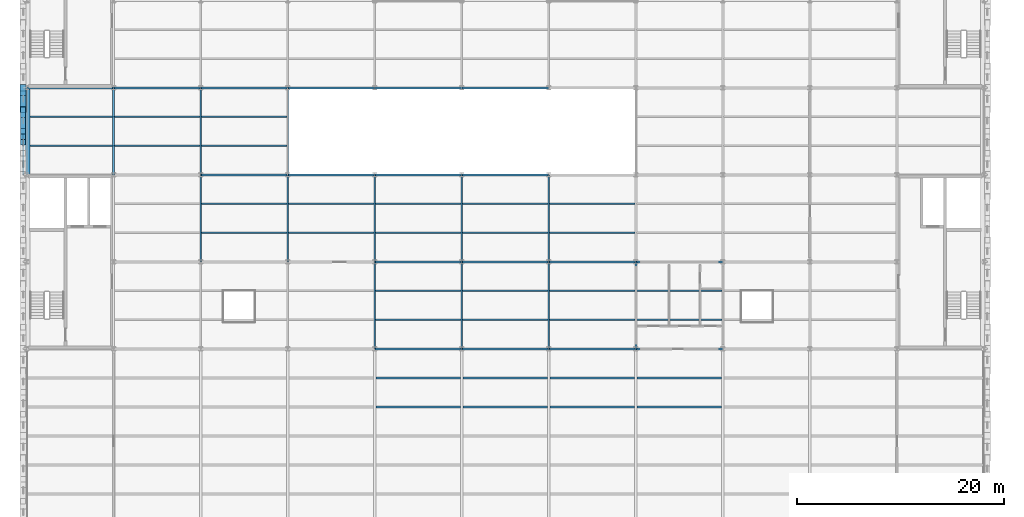
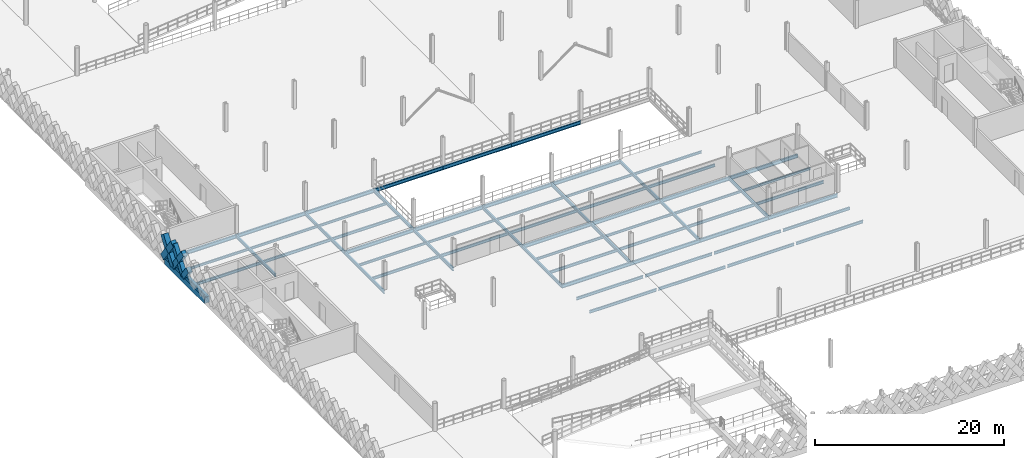
# One storey, part 21 of 74: 63 beams, 8 members.
"""IFC4 building model written with IfcOpenShell, lengths in metres."""

from ifc_helpers import new_model, si_unit, direction, frame, origin, origin_2d, place, context, subcontext, project, spatial, rectangle, hollow_rectangle, i_section, extrude, material, material_profile, profile_set, type_object, element, save


model = new_model("IFC4")

# Units and contexts
model_context = context("Model", 3, precision=1e-05, world=origin(), true_north=direction((0.0, 1.0)))
body_context = subcontext(model_context, "Body", "Model", "MODEL_VIEW")
ifc_project = project(units=[si_unit("LENGTHUNIT", "METRE"), si_unit("AREAUNIT", "SQUARE_METRE"), si_unit("VOLUMEUNIT", "CUBIC_METRE"), si_unit("PLANEANGLEUNIT", "RADIAN"), si_unit("MASSUNIT", "GRAM", prefix="KILO"), si_unit("THERMODYNAMICTEMPERATUREUNIT", "KELVIN"), si_unit("POWERUNIT", "WATT")], contexts=[model_context])

# Site, building, storey
site_placement = place(None, origin())
site = spatial("IfcSite", under=ifc_project, at=site_placement, CompositionType="ELEMENT")
building_placement = place(site_placement, origin())
building = spatial("IfcBuilding", under=site, at=building_placement, Name="Tembeka Court Mobility Hub", CompositionType="ELEMENT")
storey_placement = place(building_placement, frame((0.0, 0.0, 12.60009765625)))
storey = spatial("IfcBuildingStorey", under=building, at=storey_placement, Name="L03", CompositionType="ELEMENT", Elevation=12.60009765625)

# Beams
ifc_material_1 = material(Name="Steel S355", Category="steel")
ifc_material_profile_1 = material_profile(ifc_material_1, i_section(OverallWidth=0.18994140625, OverallDepth=0.45703125, WebThickness=0.009033203125, FlangeThickness=0.014404296875, FilletRadius=0.01025390625, at=origin_2d()), Name="UKB 457x191x74")
ifc_profile_set_1 = profile_set([ifc_material_profile_1], Name="Steel S355")
beam_type_1 = type_object("IfcBeamType", Name="BM-B01", PredefinedType="BEAM", material=ifc_profile_set_1)
for number, where, z_axis, x_axis, name in (
    (1, (33.60009765625, 38.39990234375, -0.448486328125), (1.0, 0.0, 0.0), (0.0, 1.0, 0.0), "Beam B01 (BM-L03-X1722)"),
    (2, (42.0, 38.39990234375, -0.448486328125), (1.0, 0.0, 0.0), (0.0, 1.0, 0.0), "Beam B01 (BM-L03-X1723)"),
):
    element("IfcBeam", number, at=place(storey_placement, frame(where, z_axis=z_axis, x_axis=x_axis)), inside=storey, type_object=beam_type_1, Name=name, PredefinedType="BEAM", context=body_context, shape_type="SweptSolid", body=[
        extrude(i_section(OverallWidth=0.18994140625, OverallDepth=0.45703125, WebThickness=0.009033203125, FlangeThickness=0.014404296875, FilletRadius=0.01025390625, at=origin_2d()), origin(), (0.0, 0.0, 1.0), 8.39990234375),
    ])
beam_1_placement = place(storey_placement, frame((50.39990234375, 38.39990234375, -0.448486328125), z_axis=(1.0, 0.0, 0.0), x_axis=(0.0, 1.0, 0.0)))
element("IfcBeam", 3, at=beam_1_placement, inside=storey, type_object=beam_type_1, Name="Beam B01 (BM-L03-X1724)", PredefinedType="BEAM", context=body_context, shape_type="SweptSolid", body=[
    extrude(i_section(OverallWidth=0.18994140625, OverallDepth=0.45703125, WebThickness=0.009033203125, FlangeThickness=0.014404296875, FilletRadius=0.01025390625, at=origin_2d()), origin(), (0.0, 0.0, 1.0), 8.400146484375),
])
for number, where, z_axis, x_axis, name in (
    (4, (58.800048828125, 38.39990234375, -0.448486328125), (1.0, 0.0, 0.0), (0.0, 1.0, 0.0), "Beam B01 (BM-L03-X1725)"),
    (5, (33.60009765625, 46.800048828125, -0.448486328125), (1.0, 0.0, 0.0), (0.0, 1.0, 0.0), "Beam B01 (BM-L03-X1737)"),
    (6, (42.0, 46.800048828125, -0.448486328125), (1.0, 0.0, 0.0), (0.0, 1.0, 0.0), "Beam B01 (BM-L03-X1738)"),
):
    element("IfcBeam", number, at=place(storey_placement, frame(where, z_axis=z_axis, x_axis=x_axis)), inside=storey, type_object=beam_type_1, Name=name, PredefinedType="BEAM", context=body_context, shape_type="SweptSolid", body=[
        extrude(i_section(OverallWidth=0.18994140625, OverallDepth=0.45703125, WebThickness=0.009033203125, FlangeThickness=0.014404296875, FilletRadius=0.01025390625, at=origin_2d()), origin(), (0.0, 0.0, 1.0), 8.39990234375),
    ])
beam_2_placement = place(storey_placement, frame((50.39990234375, 46.800048828125, -0.448486328125), z_axis=(1.0, 0.0, 0.0), x_axis=(0.0, 1.0, 0.0)))
element("IfcBeam", 7, at=beam_2_placement, inside=storey, type_object=beam_type_1, Name="Beam B01 (BM-L03-X1739)", PredefinedType="BEAM", context=body_context, shape_type="SweptSolid", body=[
    extrude(i_section(OverallWidth=0.18994140625, OverallDepth=0.45703125, WebThickness=0.009033203125, FlangeThickness=0.014404296875, FilletRadius=0.01025390625, at=origin_2d()), origin(), (0.0, 0.0, 1.0), 8.400146484375),
])
for number, where, z_axis, x_axis, name in (
    (8, (58.800048828125, 46.800048828125, -0.448486328125), (1.0, 0.0, 0.0), (0.0, 1.0, 0.0), "Beam B01 (BM-L03-X1740)"),
    (9, (16.800048828125, 55.199951171875, -0.448486328125), (1.0, 0.0, 0.0), (0.0, 1.0, 0.0), "Beam B01 (BM-L03-X1750)"),
):
    element("IfcBeam", number, at=place(storey_placement, frame(where, z_axis=z_axis, x_axis=x_axis)), inside=storey, type_object=beam_type_1, Name=name, PredefinedType="BEAM", context=body_context, shape_type="SweptSolid", body=[
        extrude(i_section(OverallWidth=0.18994140625, OverallDepth=0.45703125, WebThickness=0.009033203125, FlangeThickness=0.014404296875, FilletRadius=0.01025390625, at=origin_2d()), origin(), (0.0, 0.0, 1.0), 8.39990234375),
    ])
beam_3_placement = place(storey_placement, frame((25.199951171875, 55.199951171875, -0.448486328125), z_axis=(1.0, 0.0, 0.0), x_axis=(0.0, 1.0, 0.0)))
element("IfcBeam", 10, at=beam_3_placement, inside=storey, type_object=beam_type_1, Name="Beam B01 (BM-L03-X1751)", PredefinedType="BEAM", context=body_context, shape_type="SweptSolid", body=[
    extrude(i_section(OverallWidth=0.18994140625, OverallDepth=0.45703125, WebThickness=0.009033203125, FlangeThickness=0.014404296875, FilletRadius=0.01025390625, at=origin_2d()), origin(), (0.0, 0.0, 1.0), 8.400146484375),
])
for number, where, z_axis, x_axis, name in (
    (11, (33.60009765625, 55.199951171875, -0.448486328125), (1.0, 0.0, 0.0), (0.0, 1.0, 0.0), "Beam B01 (BM-L03-X1752)"),
    (12, (42.0, 55.199951171875, -0.448486328125), (1.0, 0.0, 0.0), (0.0, 1.0, 0.0), "Beam B01 (BM-L03-X1753)"),
    (13, (0.0, 63.60009765625, -0.448486328125), (1.0, 0.0, 0.0), (0.0, 1.0, 0.0), "Beam B01 (BM-L03-X1760)"),
):
    element("IfcBeam", number, at=place(storey_placement, frame(where, z_axis=z_axis, x_axis=x_axis)), inside=storey, type_object=beam_type_1, Name=name, PredefinedType="BEAM", context=body_context, shape_type="SweptSolid", body=[
        extrude(i_section(OverallWidth=0.18994140625, OverallDepth=0.45703125, WebThickness=0.009033203125, FlangeThickness=0.014404296875, FilletRadius=0.01025390625, at=origin_2d()), origin(), (0.0, 0.0, 1.0), 8.39990234375),
    ])
beam_4_placement = place(storey_placement, frame((8.39990234375, 63.60009765625, -0.448486328125), z_axis=(1.0, 0.0, 0.0), x_axis=(0.0, 1.0, 0.0)))
element("IfcBeam", 14, at=beam_4_placement, inside=storey, type_object=beam_type_1, Name="Beam B01 (BM-L03-X1761)", PredefinedType="BEAM", context=body_context, shape_type="SweptSolid", body=[
    extrude(i_section(OverallWidth=0.18994140625, OverallDepth=0.45703125, WebThickness=0.009033203125, FlangeThickness=0.014404296875, FilletRadius=0.01025390625, at=origin_2d()), origin(), (0.0, 0.0, 1.0), 8.400146484375),
])
beam_5_placement = place(storey_placement, frame((16.800048828125, 63.60009765625, -0.448486328125), z_axis=(1.0, 0.0, 0.0), x_axis=(0.0, 1.0, 0.0)))
element("IfcBeam", 15, at=beam_5_placement, inside=storey, type_object=beam_type_1, Name="Beam B01 (BM-L03-X1762)", PredefinedType="BEAM", context=body_context, shape_type="SweptSolid", body=[
    extrude(i_section(OverallWidth=0.18994140625, OverallDepth=0.45703125, WebThickness=0.009033203125, FlangeThickness=0.014404296875, FilletRadius=0.01025390625, at=origin_2d()), origin(), (0.0, 0.0, 1.0), 8.39990234375),
])
beam_6_placement = place(storey_placement, frame((25.199951171875, 63.60009765625, -0.448486328125), z_axis=(1.0, 0.0, 0.0), x_axis=(0.0, 1.0, 0.0)))
element("IfcBeam", 16, at=beam_6_placement, inside=storey, type_object=beam_type_1, Name="Beam B01 (BM-L03-X1763)", PredefinedType="BEAM", context=body_context, shape_type="SweptSolid", body=[
    extrude(i_section(OverallWidth=0.18994140625, OverallDepth=0.45703125, WebThickness=0.009033203125, FlangeThickness=0.014404296875, FilletRadius=0.01025390625, at=origin_2d()), origin(), (0.0, 0.0, 1.0), 8.400146484375),
])
for number, where, z_axis, x_axis, name in (
    (17, (33.60009765625, 63.60009765625, -0.448486328125), (1.0, 0.0, 0.0), (0.0, 1.0, 0.0), "Beam B01 (BM-L03-X1764)"),
    (18, (42.0, 63.60009765625, -0.448486328125), (1.0, 0.0, 0.0), (0.0, 1.0, 0.0), "Beam B01 (BM-L03-X1765)"),
):
    element("IfcBeam", number, at=place(storey_placement, frame(where, z_axis=z_axis, x_axis=x_axis)), inside=storey, type_object=beam_type_1, Name=name, PredefinedType="BEAM", context=body_context, shape_type="SweptSolid", body=[
        extrude(i_section(OverallWidth=0.18994140625, OverallDepth=0.45703125, WebThickness=0.009033203125, FlangeThickness=0.014404296875, FilletRadius=0.01025390625, at=origin_2d()), origin(), (0.0, 0.0, 1.0), 8.39990234375),
    ])
ifc_material_profile_2 = material_profile(ifc_material_1, i_section(OverallWidth=0.177978515625, OverallDepth=0.406005859375, WebThickness=0.0078125, FlangeThickness=0.0126953125, FilletRadius=0.01025390625, at=origin_2d()), Name="UKB 406x178x60")
ifc_profile_set_2 = profile_set([ifc_material_profile_2], Name="Steel S355")
beam_type_2 = type_object("IfcBeamType", Name="BM-B02", PredefinedType="BEAM", material=ifc_profile_set_2)
beam_7_placement = place(storey_placement, frame((8.39990234375, 55.199951171875, -0.423095703125), z_axis=(0.0, 1.0, 0.0), x_axis=(-1.0, 0.0, 0.0)))
element("IfcBeam", 19, at=beam_7_placement, inside=storey, type_object=beam_type_2, Name="Beam B02 (BM-L03-Y1832)", PredefinedType="BEAM", context=body_context, shape_type="SweptSolid", body=[
    extrude(i_section(OverallWidth=0.177978515625, OverallDepth=0.406005859375, WebThickness=0.0078125, FlangeThickness=0.0126953125, FilletRadius=0.01025390625, at=origin_2d()), origin(), (0.0, 0.0, 1.0), 8.400146484375),
])
beam_8_placement = place(storey_placement, frame((16.800048828125, 46.800048828125, -0.423095703125), z_axis=(0.0, 1.0, 0.0), x_axis=(-1.0, 0.0, 0.0)))
element("IfcBeam", 20, at=beam_8_placement, inside=storey, type_object=beam_type_2, Name="Beam B02 (BM-L03-Y1842)", PredefinedType="BEAM", context=body_context, shape_type="SweptSolid", body=[
    extrude(i_section(OverallWidth=0.177978515625, OverallDepth=0.406005859375, WebThickness=0.0078125, FlangeThickness=0.0126953125, FilletRadius=0.01025390625, at=origin_2d()), origin(), (0.0, 0.0, 1.0), 8.39990234375),
])
beam_9_placement = place(storey_placement, frame((16.800048828125, 55.199951171875, -0.423095703125), z_axis=(0.0, 1.0, 0.0), x_axis=(-1.0, 0.0, 0.0)))
element("IfcBeam", 21, at=beam_9_placement, inside=storey, type_object=beam_type_2, Name="Beam B02 (BM-L03-Y1843)", PredefinedType="BEAM", context=body_context, shape_type="SweptSolid", body=[
    extrude(i_section(OverallWidth=0.177978515625, OverallDepth=0.406005859375, WebThickness=0.0078125, FlangeThickness=0.0126953125, FilletRadius=0.01025390625, at=origin_2d()), origin(), (0.0, 0.0, 1.0), 8.400146484375),
])
beam_10_placement = place(storey_placement, frame((25.199951171875, 46.800048828125, -0.423095703125), z_axis=(0.0, 1.0, 0.0), x_axis=(-1.0, 0.0, 0.0)))
element("IfcBeam", 22, at=beam_10_placement, inside=storey, type_object=beam_type_2, Name="Beam B02 (BM-L03-Y1851)", PredefinedType="BEAM", context=body_context, shape_type="SweptSolid", body=[
    extrude(i_section(OverallWidth=0.177978515625, OverallDepth=0.406005859375, WebThickness=0.0078125, FlangeThickness=0.0126953125, FilletRadius=0.01025390625, at=origin_2d()), origin(), (0.0, 0.0, 1.0), 8.39990234375),
])
for number, where, z_axis, x_axis, name in (
    (23, (25.199951171875, 55.199951171875, -0.423095703125), (0.0, 1.0, 0.0), (-1.0, 0.0, 0.0), "Beam B02 (BM-L03-Y1852)"),
    (24, (33.60009765625, 38.39990234375, -0.423095703125), (0.0, 1.0, 0.0), (-1.0, 0.0, 0.0), "Beam B02 (BM-L03-Y1857)"),
):
    element("IfcBeam", number, at=place(storey_placement, frame(where, z_axis=z_axis, x_axis=x_axis)), inside=storey, type_object=beam_type_2, Name=name, PredefinedType="BEAM", context=body_context, shape_type="SweptSolid", body=[
        extrude(i_section(OverallWidth=0.177978515625, OverallDepth=0.406005859375, WebThickness=0.0078125, FlangeThickness=0.0126953125, FilletRadius=0.01025390625, at=origin_2d()), origin(), (0.0, 0.0, 1.0), 8.400146484375),
    ])
beam_11_placement = place(storey_placement, frame((33.60009765625, 46.800048828125, -0.423095703125), z_axis=(0.0, 1.0, 0.0), x_axis=(-1.0, 0.0, 0.0)))
element("IfcBeam", 25, at=beam_11_placement, inside=storey, type_object=beam_type_2, Name="Beam B02 (BM-L03-Y1858)", PredefinedType="BEAM", context=body_context, shape_type="SweptSolid", body=[
    extrude(i_section(OverallWidth=0.177978515625, OverallDepth=0.406005859375, WebThickness=0.0078125, FlangeThickness=0.0126953125, FilletRadius=0.01025390625, at=origin_2d()), origin(), (0.0, 0.0, 1.0), 8.39990234375),
])
beam_12_placement = place(storey_placement, frame((42.0, 38.39990234375, -0.423095703125), z_axis=(0.0, 1.0, 0.0), x_axis=(-1.0, 0.0, 0.0)))
element("IfcBeam", 26, at=beam_12_placement, inside=storey, type_object=beam_type_2, Name="Beam B02 (BM-L03-Y1865)", PredefinedType="BEAM", context=body_context, shape_type="SweptSolid", body=[
    extrude(i_section(OverallWidth=0.177978515625, OverallDepth=0.406005859375, WebThickness=0.0078125, FlangeThickness=0.0126953125, FilletRadius=0.01025390625, at=origin_2d()), origin(), (0.0, 0.0, 1.0), 8.400146484375),
])
beam_13_placement = place(storey_placement, frame((42.0, 46.800048828125, -0.423095703125), z_axis=(0.0, 1.0, 0.0), x_axis=(-1.0, 0.0, 0.0)))
element("IfcBeam", 27, at=beam_13_placement, inside=storey, type_object=beam_type_2, Name="Beam B02 (BM-L03-Y1866)", PredefinedType="BEAM", context=body_context, shape_type="SweptSolid", body=[
    extrude(i_section(OverallWidth=0.177978515625, OverallDepth=0.406005859375, WebThickness=0.0078125, FlangeThickness=0.0126953125, FilletRadius=0.01025390625, at=origin_2d()), origin(), (0.0, 0.0, 1.0), 8.39990234375),
])
beam_14_placement = place(storey_placement, frame((50.39990234375, 38.39990234375, -0.423095703125), z_axis=(0.0, 1.0, 0.0), x_axis=(-1.0, 0.0, 0.0)))
element("IfcBeam", 28, at=beam_14_placement, inside=storey, type_object=beam_type_2, Name="Beam B02 (BM-L03-Y1873)", PredefinedType="BEAM", context=body_context, shape_type="SweptSolid", body=[
    extrude(i_section(OverallWidth=0.177978515625, OverallDepth=0.406005859375, WebThickness=0.0078125, FlangeThickness=0.0126953125, FilletRadius=0.01025390625, at=origin_2d()), origin(), (0.0, 0.0, 1.0), 8.400146484375),
])
beam_15_placement = place(storey_placement, frame((50.39990234375, 46.800048828125, -0.423095703125), z_axis=(0.0, 1.0, 0.0), x_axis=(-1.0, 0.0, 0.0)))
element("IfcBeam", 29, at=beam_15_placement, inside=storey, type_object=beam_type_2, Name="Beam B02 (BM-L03-Y1874)", PredefinedType="BEAM", context=body_context, shape_type="SweptSolid", body=[
    extrude(i_section(OverallWidth=0.177978515625, OverallDepth=0.406005859375, WebThickness=0.0078125, FlangeThickness=0.0126953125, FilletRadius=0.01025390625, at=origin_2d()), origin(), (0.0, 0.0, 1.0), 8.39990234375),
])
beam_16_placement = place(storey_placement, frame((58.800048828125, 38.39990234375, -0.423095703125), z_axis=(0.0, 1.0, 0.0), x_axis=(-1.0, 0.0, 0.0)))
element("IfcBeam", 30, at=beam_16_placement, inside=storey, type_object=beam_type_2, Name="Beam B02 (BM-L03-Y1879)", PredefinedType="BEAM", context=body_context, shape_type="SweptSolid", body=[
    extrude(i_section(OverallWidth=0.177978515625, OverallDepth=0.406005859375, WebThickness=0.0078125, FlangeThickness=0.0126953125, FilletRadius=0.01025390625, at=origin_2d()), origin(), (0.0, 0.0, 1.0), 8.400146484375),
])
ifc_material_profile_3 = material_profile(ifc_material_1, i_section(OverallWidth=0.172119140625, OverallDepth=0.35498046875, WebThickness=0.00732421875, FlangeThickness=0.011474609375, FilletRadius=0.01025390625, at=origin_2d()), Name="UKB 356x171x51")
ifc_profile_set_3 = profile_set([ifc_material_profile_3], Name="Steel S355")
beam_type_3 = type_object("IfcBeamType", Name="BM-J01", PredefinedType="JOIST", material=ifc_profile_set_3)
for number, where, z_axis, x_axis, name in (
    (31, (33.721923828125, 32.800048828125, -0.397705078125), (1.0, 0.0, 0.0), (0.0, 1.0, 0.0), "Beam J01 (JST-L03-2019)"),
    (32, (33.721923828125, 35.60009765625, -0.397705078125), (1.0, 0.0, 0.0), (0.0, 1.0, 0.0), "Beam J01 (JST-L03-2020)"),
    (33, (42.1220703125, 32.800048828125, -0.397705078125), (1.0, 0.0, 0.0), (0.0, 1.0, 0.0), "Beam J01 (JST-L03-2037)"),
    (34, (42.1220703125, 35.60009765625, -0.397705078125), (1.0, 0.0, 0.0), (0.0, 1.0, 0.0), "Beam J01 (JST-L03-2038)"),
    (35, (50.52197265625, 32.800048828125, -0.397705078125), (1.0, 0.0, 0.0), (0.0, 1.0, 0.0), "Beam J01 (JST-L03-2055)"),
    (36, (50.52197265625, 35.60009765625, -0.397705078125), (1.0, 0.0, 0.0), (0.0, 1.0, 0.0), "Beam J01 (JST-L03-2056)"),
):
    element("IfcBeam", number, at=place(storey_placement, frame(where, z_axis=z_axis, x_axis=x_axis)), inside=storey, type_object=beam_type_3, Name=name, PredefinedType="JOIST", context=body_context, shape_type="SweptSolid", body=[
        extrude(i_section(OverallWidth=0.172119140625, OverallDepth=0.35498046875, WebThickness=0.00732421875, FlangeThickness=0.011474609375, FilletRadius=0.01025390625, at=origin_2d()), origin(), (0.0, 0.0, 1.0), 8.156005859375),
    ])
for number, where, z_axis, x_axis, name in (
    (37, (58.922119140625, 32.800048828125, -0.397705078125), (1.0, 0.0, 0.0), (0.0, 1.0, 0.0), "Beam J01 (JST-L03-2073)"),
    (38, (58.922119140625, 35.60009765625, -0.397705078125), (1.0, 0.0, 0.0), (0.0, 1.0, 0.0), "Beam J01 (JST-L03-2074)"),
):
    element("IfcBeam", number, at=place(storey_placement, frame(where, z_axis=z_axis, x_axis=x_axis)), inside=storey, type_object=beam_type_3, Name=name, PredefinedType="JOIST", context=body_context, shape_type="SweptSolid", body=[
        extrude(i_section(OverallWidth=0.172119140625, OverallDepth=0.35498046875, WebThickness=0.00732421875, FlangeThickness=0.011474609375, FilletRadius=0.01025390625, at=origin_2d()), origin(), (0.0, 0.0, 1.0), 8.15576171875),
    ])
ifc_material_profile_4 = material_profile(ifc_material_1, i_section(OverallWidth=0.1650390625, OverallDepth=0.303955078125, WebThickness=0.006103515625, FlangeThickness=0.01025390625, FilletRadius=0.0087890625, at=origin_2d()), Name="UKB 305x165x40")
ifc_profile_set_4 = profile_set([ifc_material_profile_4], Name="Steel S355")
beam_type_4 = type_object("IfcBeamType", Name="BM-J02", PredefinedType="JOIST", material=ifc_profile_set_4)
beam_17_placement = place(storey_placement, frame((0.320068359375, 60.800048828125, -0.3720703125), z_axis=(1.0, 0.0, 0.0), x_axis=(0.0, 1.0, 0.0)))
element("IfcBeam", 39, at=beam_17_placement, inside=storey, type_object=beam_type_4, Name="Beam J02 (JST-L03-1952)", PredefinedType="JOIST", context=body_context, shape_type="SweptSolid", body=[
    extrude(i_section(OverallWidth=0.1650390625, OverallDepth=0.303955078125, WebThickness=0.006103515625, FlangeThickness=0.01025390625, FilletRadius=0.0087890625, at=origin_2d()), origin(), (0.0, 0.0, 1.0), 7.995849609375),
])
beam_18_placement = place(storey_placement, frame((8.48388671875, 60.800048828125, -0.3720703125), z_axis=(1.0, 0.0, 0.0), x_axis=(0.0, 1.0, 0.0)))
element("IfcBeam", 40, at=beam_18_placement, inside=storey, type_object=beam_type_4, Name="Beam J02 (JST-L03-1968)", PredefinedType="JOIST", context=body_context, shape_type="SweptSolid", body=[
    extrude(i_section(OverallWidth=0.1650390625, OverallDepth=0.303955078125, WebThickness=0.006103515625, FlangeThickness=0.01025390625, FilletRadius=0.0087890625, at=origin_2d()), origin(), (0.0, 0.0, 1.0), 8.232177734375),
])
for number, where, z_axis, x_axis, name in (
    (41, (16.884033203125, 52.39990234375, -0.3720703125), (1.0, 0.0, 0.0), (0.0, 1.0, 0.0), "Beam J02 (JST-L03-1986)"),
    (42, (16.884033203125, 60.800048828125, -0.3720703125), (1.0, 0.0, 0.0), (0.0, 1.0, 0.0), "Beam J02 (JST-L03-1988)"),
):
    element("IfcBeam", number, at=place(storey_placement, frame(where, z_axis=z_axis, x_axis=x_axis)), inside=storey, type_object=beam_type_4, Name=name, PredefinedType="JOIST", context=body_context, shape_type="SweptSolid", body=[
        extrude(i_section(OverallWidth=0.1650390625, OverallDepth=0.303955078125, WebThickness=0.006103515625, FlangeThickness=0.01025390625, FilletRadius=0.0087890625, at=origin_2d()), origin(), (0.0, 0.0, 1.0), 8.23193359375),
    ])
beam_19_placement = place(storey_placement, frame((25.283935546875, 52.39990234375, -0.3720703125), z_axis=(1.0, 0.0, 0.0), x_axis=(0.0, 1.0, 0.0)))
element("IfcBeam", 43, at=beam_19_placement, inside=storey, type_object=beam_type_4, Name="Beam J02 (JST-L03-2006)", PredefinedType="JOIST", context=body_context, shape_type="SweptSolid", body=[
    extrude(i_section(OverallWidth=0.1650390625, OverallDepth=0.303955078125, WebThickness=0.006103515625, FlangeThickness=0.01025390625, FilletRadius=0.0087890625, at=origin_2d()), origin(), (0.0, 0.0, 1.0), 8.232177734375),
])
for number, where, z_axis, x_axis, name in (
    (44, (33.68408203125, 44.0, -0.3720703125), (1.0, 0.0, 0.0), (0.0, 1.0, 0.0), "Beam J02 (JST-L03-2022)"),
    (45, (33.68408203125, 52.39990234375, -0.3720703125), (1.0, 0.0, 0.0), (0.0, 1.0, 0.0), "Beam J02 (JST-L03-2024)"),
    (46, (42.083984375, 44.0, -0.3720703125), (1.0, 0.0, 0.0), (0.0, 1.0, 0.0), "Beam J02 (JST-L03-2040)"),
    (47, (42.083984375, 52.39990234375, -0.3720703125), (1.0, 0.0, 0.0), (0.0, 1.0, 0.0), "Beam J02 (JST-L03-2042)"),
):
    element("IfcBeam", number, at=place(storey_placement, frame(where, z_axis=z_axis, x_axis=x_axis)), inside=storey, type_object=beam_type_4, Name=name, PredefinedType="JOIST", context=body_context, shape_type="SweptSolid", body=[
        extrude(i_section(OverallWidth=0.1650390625, OverallDepth=0.303955078125, WebThickness=0.006103515625, FlangeThickness=0.01025390625, FilletRadius=0.0087890625, at=origin_2d()), origin(), (0.0, 0.0, 1.0), 8.23193359375),
    ])
for number, where, z_axis, x_axis, name in (
    (48, (50.48388671875, 44.0, -0.3720703125), (1.0, 0.0, 0.0), (0.0, 1.0, 0.0), "Beam J02 (JST-L03-2058)"),
    (49, (50.48388671875, 52.39990234375, -0.3720703125), (1.0, 0.0, 0.0), (0.0, 1.0, 0.0), "Beam J02 (JST-L03-2060)"),
):
    element("IfcBeam", number, at=place(storey_placement, frame(where, z_axis=z_axis, x_axis=x_axis)), inside=storey, type_object=beam_type_4, Name=name, PredefinedType="JOIST", context=body_context, shape_type="SweptSolid", body=[
        extrude(i_section(OverallWidth=0.1650390625, OverallDepth=0.303955078125, WebThickness=0.006103515625, FlangeThickness=0.01025390625, FilletRadius=0.0087890625, at=origin_2d()), origin(), (0.0, 0.0, 1.0), 8.232177734375),
    ])
beam_20_placement = place(storey_placement, frame((58.884033203125, 44.0, -0.3720703125), z_axis=(1.0, 0.0, 0.0), x_axis=(0.0, 1.0, 0.0)))
element("IfcBeam", 50, at=beam_20_placement, inside=storey, type_object=beam_type_4, Name="Beam J02 (JST-L03-2076)", PredefinedType="JOIST", context=body_context, shape_type="SweptSolid", body=[
    extrude(i_section(OverallWidth=0.1650390625, OverallDepth=0.303955078125, WebThickness=0.006103515625, FlangeThickness=0.01025390625, FilletRadius=0.0087890625, at=origin_2d()), origin(), (0.0, 0.0, 1.0), 8.23193359375),
])
ifc_material_profile_5 = material_profile(ifc_material_1, i_section(OverallWidth=0.169921875, OverallDepth=0.360107421875, WebThickness=0.008056640625, FlangeThickness=0.0126953125, FilletRadius=0.01806640625, at=origin_2d()), Name="IPE 360")
ifc_profile_set_5 = profile_set([ifc_material_profile_5], Name="Steel S355")
beam_type_5 = type_object("IfcBeamType", Name="BM-J03", PredefinedType="JOIST", material=ifc_profile_set_5)
beam_21_placement = place(storey_placement, frame((0.320068359375, 58.0, -0.400146484375), z_axis=(1.0, 0.0, 0.0), x_axis=(0.0, 1.0, 0.0)))
element("IfcBeam", 51, at=beam_21_placement, inside=storey, type_object=beam_type_5, Name="Beam J03 (JST-L03-1951)", PredefinedType="JOIST", context=body_context, shape_type="SweptSolid", body=[
    extrude(i_section(OverallWidth=0.169921875, OverallDepth=0.360107421875, WebThickness=0.008056640625, FlangeThickness=0.0126953125, FilletRadius=0.01806640625, at=origin_2d()), origin(), (0.0, 0.0, 1.0), 7.995849609375),
])
beam_22_placement = place(storey_placement, frame((8.48388671875, 58.0, -0.400146484375), z_axis=(1.0, 0.0, 0.0), x_axis=(0.0, 1.0, 0.0)))
element("IfcBeam", 52, at=beam_22_placement, inside=storey, type_object=beam_type_5, Name="Beam J03 (JST-L03-1967)", PredefinedType="JOIST", context=body_context, shape_type="SweptSolid", body=[
    extrude(i_section(OverallWidth=0.169921875, OverallDepth=0.360107421875, WebThickness=0.008056640625, FlangeThickness=0.0126953125, FilletRadius=0.01806640625, at=origin_2d()), origin(), (0.0, 0.0, 1.0), 8.232177734375),
])
for number, where, z_axis, x_axis, name in (
    (53, (16.884033203125, 49.60009765625, -0.400146484375), (1.0, 0.0, 0.0), (0.0, 1.0, 0.0), "Beam J03 (JST-L03-1985)"),
    (54, (16.884033203125, 58.0, -0.400146484375), (1.0, 0.0, 0.0), (0.0, 1.0, 0.0), "Beam J03 (JST-L03-1987)"),
):
    element("IfcBeam", number, at=place(storey_placement, frame(where, z_axis=z_axis, x_axis=x_axis)), inside=storey, type_object=beam_type_5, Name=name, PredefinedType="JOIST", context=body_context, shape_type="SweptSolid", body=[
        extrude(i_section(OverallWidth=0.169921875, OverallDepth=0.360107421875, WebThickness=0.008056640625, FlangeThickness=0.0126953125, FilletRadius=0.01806640625, at=origin_2d()), origin(), (0.0, 0.0, 1.0), 8.23193359375),
    ])
beam_23_placement = place(storey_placement, frame((25.283935546875, 49.60009765625, -0.400146484375), z_axis=(1.0, 0.0, 0.0), x_axis=(0.0, 1.0, 0.0)))
element("IfcBeam", 55, at=beam_23_placement, inside=storey, type_object=beam_type_5, Name="Beam J03 (JST-L03-2005)", PredefinedType="JOIST", context=body_context, shape_type="SweptSolid", body=[
    extrude(i_section(OverallWidth=0.169921875, OverallDepth=0.360107421875, WebThickness=0.008056640625, FlangeThickness=0.0126953125, FilletRadius=0.01806640625, at=origin_2d()), origin(), (0.0, 0.0, 1.0), 8.232177734375),
])
for number, where, z_axis, x_axis, name in (
    (56, (33.68408203125, 41.199951171875, -0.400146484375), (1.0, 0.0, 0.0), (0.0, 1.0, 0.0), "Beam J03 (JST-L03-2021)"),
    (57, (33.68408203125, 49.60009765625, -0.400146484375), (1.0, 0.0, 0.0), (0.0, 1.0, 0.0), "Beam J03 (JST-L03-2023)"),
    (58, (42.083984375, 41.199951171875, -0.400146484375), (1.0, 0.0, 0.0), (0.0, 1.0, 0.0), "Beam J03 (JST-L03-2039)"),
    (59, (42.083984375, 49.60009765625, -0.400146484375), (1.0, 0.0, 0.0), (0.0, 1.0, 0.0), "Beam J03 (JST-L03-2041)"),
):
    element("IfcBeam", number, at=place(storey_placement, frame(where, z_axis=z_axis, x_axis=x_axis)), inside=storey, type_object=beam_type_5, Name=name, PredefinedType="JOIST", context=body_context, shape_type="SweptSolid", body=[
        extrude(i_section(OverallWidth=0.169921875, OverallDepth=0.360107421875, WebThickness=0.008056640625, FlangeThickness=0.0126953125, FilletRadius=0.01806640625, at=origin_2d()), origin(), (0.0, 0.0, 1.0), 8.23193359375),
    ])
for number, where, z_axis, x_axis, name in (
    (60, (50.48388671875, 41.199951171875, -0.400146484375), (1.0, 0.0, 0.0), (0.0, 1.0, 0.0), "Beam J03 (JST-L03-2057)"),
    (61, (50.48388671875, 49.60009765625, -0.400146484375), (1.0, 0.0, 0.0), (0.0, 1.0, 0.0), "Beam J03 (JST-L03-2059)"),
):
    element("IfcBeam", number, at=place(storey_placement, frame(where, z_axis=z_axis, x_axis=x_axis)), inside=storey, type_object=beam_type_5, Name=name, PredefinedType="JOIST", context=body_context, shape_type="SweptSolid", body=[
        extrude(i_section(OverallWidth=0.169921875, OverallDepth=0.360107421875, WebThickness=0.008056640625, FlangeThickness=0.0126953125, FilletRadius=0.01806640625, at=origin_2d()), origin(), (0.0, 0.0, 1.0), 8.232177734375),
    ])
beam_24_placement = place(storey_placement, frame((58.884033203125, 41.199951171875, -0.400146484375), z_axis=(1.0, 0.0, 0.0), x_axis=(0.0, 1.0, 0.0)))
element("IfcBeam", 62, at=beam_24_placement, inside=storey, type_object=beam_type_5, Name="Beam J03 (JST-L03-2075)", PredefinedType="JOIST", context=body_context, shape_type="SweptSolid", body=[
    extrude(i_section(OverallWidth=0.169921875, OverallDepth=0.360107421875, WebThickness=0.008056640625, FlangeThickness=0.0126953125, FilletRadius=0.01806640625, at=origin_2d()), origin(), (0.0, 0.0, 1.0), 8.23193359375),
])
ifc_material_2 = material(Name="Precast concrete C45/55", Category="concrete")
ifc_material_profile_6 = material_profile(ifc_material_2, rectangle(XDim=0.64990234375, YDim=0.800048828125, at=origin_2d()), Name="PC-SP 650x800")
ifc_profile_set_6 = profile_set([ifc_material_profile_6], Name="Precast concrete C45/55")
beam_type_6 = type_object("IfcBeamType", Name="BM-SP01", PredefinedType="SPANDREL", material=ifc_profile_set_6)
beam_25_placement = place(storey_placement, frame((0.0, 55.199951171875, -0.6201171875), z_axis=(0.0, 1.0, 0.0), x_axis=(-1.0, 0.0, 0.0)))
element("IfcBeam", 63, at=beam_25_placement, inside=storey, type_object=beam_type_6, Name="Beam SP01 (BM-L03-Y1821)", PredefinedType="SPANDREL", context=body_context, shape_type="SweptSolid", body=[
    extrude(rectangle(XDim=0.64990234375, YDim=0.800048828125, at=origin_2d()), origin(), (0.0, 0.0, 1.0), 8.400146484375),
])

# Members
ifc_material_profile_7 = material_profile(ifc_material_2, rectangle(XDim=0.5, YDim=0.64990234375, at=origin_2d()), Name="PC-DIAG 500x650")
ifc_profile_set_7 = profile_set([ifc_material_profile_7], Name="Precast concrete C45/55")
member_type_1 = type_object("IfcMemberType", Name="MEM-DL01", PredefinedType="BRACE", material=ifc_profile_set_7)
member_1_placement = place(storey_placement, frame((-0.340087890625, 59.39990234375, 0.02001953125), z_axis=(0.0, -0.582518941428, 0.812817127574), x_axis=(1.0, 0.0, 0.0)))
element("IfcMember", 64, at=member_1_placement, inside=storey, type_object=member_type_1, Name="Precast diamond lattice split lower strand DL01 (L03-504D1)", PredefinedType="BRACE", context=body_context, shape_type="SweptSolid", body=[
    extrude(rectangle(XDim=0.5, YDim=0.64990234375, at=origin_2d()), origin(), (0.0, 0.0, 1.0), 1.80224609375),
])
member_2_placement = place(storey_placement, frame((-0.340087890625, 59.39990234375, 0.02001953125), z_axis=(0.0, 0.582576362011, 0.812775973086), x_axis=(-1.0, 0.0, 0.0)))
element("IfcMember", 65, at=member_2_placement, inside=storey, type_object=member_type_1, Name="Precast diamond lattice continuous strand DL01 (L03-505C)", PredefinedType="BRACE", context=body_context, shape_type="SweptSolid", body=[
    extrude(rectangle(XDim=0.5, YDim=0.64990234375, at=origin_2d()), origin(), (0.0, 0.0, 1.0), 3.604736328125),
])
member_3_placement = place(storey_placement, frame((-0.340087890625, 61.5, 0.02001953125), z_axis=(0.0, -0.582608431711, 0.812752985414), x_axis=(1.0, 0.0, 0.0)))
element("IfcMember", 66, at=member_3_placement, inside=storey, type_object=member_type_1, Name="Precast diamond lattice split lower strand DL01 (L03-505D1)", PredefinedType="BRACE", context=body_context, shape_type="SweptSolid", body=[
    extrude(rectangle(XDim=0.5, YDim=0.64990234375, at=origin_2d()), origin(), (0.0, 0.0, 1.0), 1.80224609375),
])
member_4_placement = place(storey_placement, frame((-0.340087890625, 60.449951171875, 1.48486328125), z_axis=(0.0, -0.582544294934, 0.812798956963), x_axis=(1.0, 0.0, 0.0)))
element("IfcMember", 67, at=member_4_placement, inside=storey, type_object=member_type_1, Name="Precast diamond lattice split upper strand DL01 (L03-505D2)", PredefinedType="BRACE", context=body_context, shape_type="SweptSolid", body=[
    extrude(rectangle(XDim=0.5, YDim=0.64990234375, at=origin_2d()), origin(), (0.0, 0.0, 1.0), 1.802490234375),
])
ifc_material_profile_8 = material_profile(ifc_material_2, rectangle(XDim=0.60009765625, YDim=0.75, at=origin_2d()), Name="PC-DIAG 600x750")
ifc_profile_set_8 = profile_set([ifc_material_profile_8], Name="Precast concrete C45/55")
member_type_2 = type_object("IfcMemberType", Name="MEM-DL02", PredefinedType="BRACE", material=ifc_profile_set_8)
member_5_placement = place(storey_placement, frame((-0.340087890625, 61.5, 0.02001953125), z_axis=(0.0, 0.582576362011, 0.812775973086), x_axis=(-1.0, 0.0, 0.0)))
element("IfcMember", 68, at=member_5_placement, inside=storey, type_object=member_type_2, Name="Precast diamond lattice continuous strand DL02 (L03-506C)", PredefinedType="BRACE", context=body_context, shape_type="SweptSolid", body=[
    extrude(rectangle(XDim=0.60009765625, YDim=0.75, at=origin_2d()), origin(), (0.0, 0.0, 1.0), 3.604736328125),
])
member_6_placement = place(storey_placement, frame((-0.340087890625, 63.60009765625, 0.02001953125), z_axis=(0.0, -0.582608431711, 0.812752985414), x_axis=(1.0, 0.0, 0.0)))
element("IfcMember", 69, at=member_6_placement, inside=storey, type_object=member_type_2, Name="Precast diamond lattice split lower strand DL02 (L03-506D1)", PredefinedType="BRACE", context=body_context, shape_type="SweptSolid", body=[
    extrude(rectangle(XDim=0.60009765625, YDim=0.75, at=origin_2d()), origin(), (0.0, 0.0, 1.0), 1.80224609375),
])
member_7_placement = place(storey_placement, frame((-0.340087890625, 62.550048828125, 1.48486328125), z_axis=(0.0, -0.582544294934, 0.812798956963), x_axis=(1.0, 0.0, 0.0)))
element("IfcMember", 70, at=member_7_placement, inside=storey, type_object=member_type_2, Name="Precast diamond lattice split upper strand DL02 (L03-506D2)", PredefinedType="BRACE", context=body_context, shape_type="SweptSolid", body=[
    extrude(rectangle(XDim=0.60009765625, YDim=0.75, at=origin_2d()), origin(), (0.0, 0.0, 1.0), 1.802490234375),
])
ifc_material_profile_9 = material_profile(ifc_material_1, hollow_rectangle(XDim=0.14990234375, YDim=0.300048828125, WallThickness=0.010009765625, at=origin_2d()), Name="RHS 300x150x10")
ifc_profile_set_9 = profile_set([ifc_material_profile_9], Name="Steel S355")
member_type_3 = type_object("IfcMemberType", Name="MEM-ST03", PredefinedType="STRUT", material=ifc_profile_set_9)
member_8_placement = place(storey_placement, frame((-0.340087890625, 55.199951171875, 0.02001953125), z_axis=(0.0, 1.0, 0.0), x_axis=(-1.0, 0.0, 0.0)))
element("IfcMember", 71, at=member_8_placement, inside=storey, type_object=member_type_3, Name="Proud lattice sill tie chord SR03 (L03-W-55)", PredefinedType="STRUT", context=body_context, shape_type="SweptSolid", body=[
    extrude(hollow_rectangle(XDim=0.14990234375, YDim=0.300048828125, WallThickness=0.010009765625, at=origin_2d()), origin(), (0.0, 0.0, 1.0), 8.400146484375),
])

save(model, "model.ifc")
